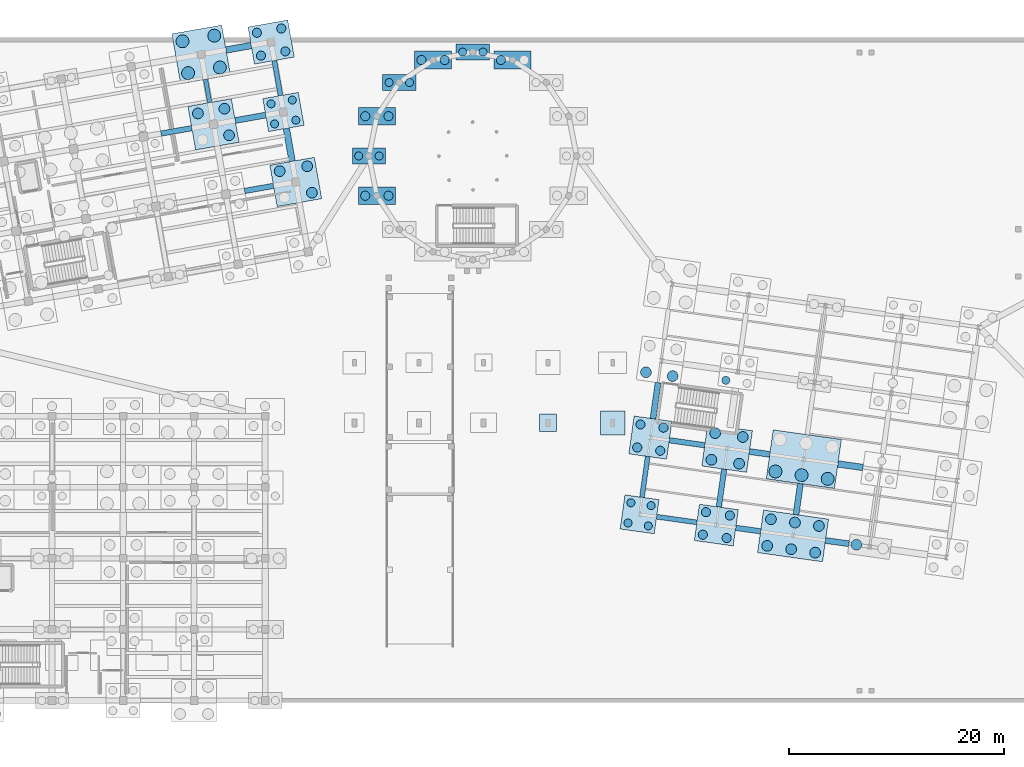
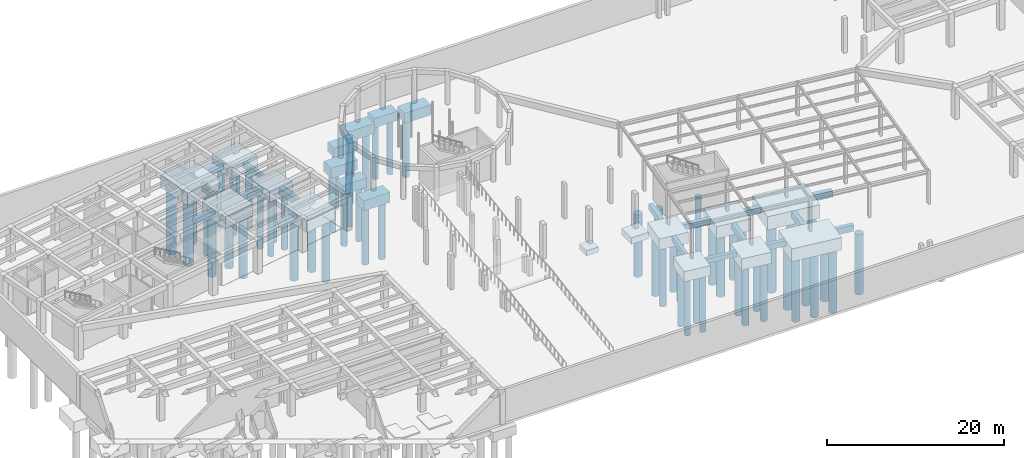
# One storey, part 5 of 34: 60 piles, 37 footings.
"""IFC4 building model written with IfcOpenShell, lengths in metres."""

from ifc_helpers import new_model, si_unit, direction, frame, origin, origin_2d, place, context, subcontext, project, spatial, rectangle, circle, extrude, material, material_profile, profile_set, type_object, element, save


model = new_model("IFC4")

# Units and contexts
model_context = context("Model", 3, precision=1e-05, world=origin(), true_north=direction((0.0, 1.0)))
body_context = subcontext(model_context, "Body", "Model", "MODEL_VIEW")
ifc_project = project(units=[si_unit("LENGTHUNIT", "METRE"), si_unit("AREAUNIT", "SQUARE_METRE"), si_unit("VOLUMEUNIT", "CUBIC_METRE"), si_unit("PLANEANGLEUNIT", "RADIAN"), si_unit("MASSUNIT", "GRAM", prefix="KILO")], contexts=[model_context])

# Site, building, storey
site_placement = place(None, origin())
site = spatial("IfcSite", under=ifc_project, at=site_placement, CompositionType="ELEMENT")
building_placement = place(site_placement, origin())
building = spatial("IfcBuilding", under=site, at=building_placement, Name="Kharisveld Research Institute", CompositionType="ELEMENT")
storey_placement = place(building_placement, frame((0.0, 0.0, -4.800048828125)))
storey = spatial("IfcBuildingStorey", under=building, at=storey_placement, Name="B1", CompositionType="ELEMENT", Elevation=-4.800048828125)

# Footings
ifc_material_1 = material(Name="Concrete C35/45", Category="concrete")
ifc_material_profile_1 = material_profile(ifc_material_1, rectangle(XDim=0.449951171875, YDim=0.64990234375, at=origin_2d()))
ifc_profile_set_1 = profile_set([ifc_material_profile_1], Name="Concrete C35/45")
footing_type_1 = type_object("IfcFootingType", Name="GB_01", PredefinedType="FOOTING_BEAM", material=ifc_profile_set_1)
footing_1_placement = place(storey_placement, frame((41.636962890625, 56.412353515625, -0.77490234375), z_axis=(-0.173629180998, 0.984811102449, 0.0), x_axis=(-0.984811102449, -0.173629180998, 0.0)))
element("IfcFooting", 1, at=footing_1_placement, inside=storey, type_object=footing_type_1, Name="FTG:GB:V1:V6_2", PredefinedType="FOOTING_BEAM", context=body_context, shape_type="SweptSolid", body=[
    extrude(rectangle(XDim=0.449951171875, YDim=0.64990234375, at=origin_2d()), origin(), (0.0, 0.0, 1.0), 3.300048828125),
])
footing_2_placement = place(storey_placement, frame((76.58447265625, 17.27734375, -0.77490234375), z_axis=(0.990267723454, -0.139175557789, 0.0), x_axis=(0.139175557789, 0.990267723454, 0.0)))
element("IfcFooting", 2, at=footing_2_placement, inside=storey, type_object=footing_type_1, Name="FTG:GB:V4:U0_0", PredefinedType="FOOTING_BEAM", context=body_context, shape_type="SweptSolid", body=[
    extrude(rectangle(XDim=0.449951171875, YDim=0.64990234375, at=origin_2d()), origin(), (0.0, 0.0, 1.0), 3.77490234375),
])
footing_3_placement = place(storey_placement, frame((75.22265625, 19.08447265625, -0.77490234375), z_axis=(0.139204956016, 0.990263591283, 0.0), x_axis=(-0.990263591283, 0.139204956016, 0.0)))
element("IfcFooting", 3, at=footing_3_placement, inside=storey, type_object=footing_type_1, Name="FTG:GB:V4:V0_0", PredefinedType="FOOTING_BEAM", context=body_context, shape_type="SweptSolid", body=[
    extrude(rectangle(XDim=0.449951171875, YDim=0.64990234375, at=origin_2d()), origin(), (0.0, 0.0, 1.0), 3.8251953125),
])
ifc_material_2 = material(Name="Concrete C35/45", Category="concrete")
ifc_material_profile_2 = material_profile(ifc_material_2, rectangle(XDim=0.5, YDim=0.75, at=origin_2d()))
ifc_profile_set_2 = profile_set([ifc_material_profile_2], Name="Concrete C35/45")
footing_type_2 = type_object("IfcFootingType", Name="GB_02", PredefinedType="FOOTING_BEAM", material=ifc_profile_set_2)
footing_4_placement = place(storey_placement, frame((38.300537109375, 47.54833984375, -0.824951171875), z_axis=(0.984810605289, 0.173632000823, 0.0), x_axis=(-0.173632000823, 0.984810605289, 0.0)))
element("IfcFooting", 4, at=footing_4_placement, inside=storey, type_object=footing_type_2, Name="FTG:GB:V1:U5_1", PredefinedType="FOOTING_BEAM", context=body_context, shape_type="SweptSolid", body=[
    extrude(rectangle(XDim=0.5, YDim=0.75, at=origin_2d()), origin(), (0.0, 0.0, 1.0), 2.72509765625),
])
footing_5_placement = place(storey_placement, frame((30.53173828125, 52.88037109375, -0.824951171875), z_axis=(0.984817440814, 0.173593226445, 0.0), x_axis=(-0.173593226445, 0.984817440814, 0.0)))
element("IfcFooting", 5, at=footing_5_placement, inside=storey, type_object=footing_type_2, Name="FTG:GB:V1:U4_2", PredefinedType="FOOTING_BEAM", context=body_context, shape_type="SweptSolid", body=[
    extrude(rectangle(XDim=0.5, YDim=0.75, at=origin_2d()), origin(), (0.0, 0.0, 1.0), 2.89990234375),
])
footing_6_placement = place(storey_placement, frame((83.937255859375, 16.243896484375, -0.824951171875), z_axis=(0.990272411116, -0.139142199865, 0.0), x_axis=(0.139142199865, 0.990272411116, 0.0)))
element("IfcFooting", 6, at=footing_6_placement, inside=storey, type_object=footing_type_2, Name="FTG:GB:V4:U1_0", PredefinedType="FOOTING_BEAM", context=body_context, shape_type="SweptSolid", body=[
    extrude(rectangle(XDim=0.5, YDim=0.75, at=origin_2d()), origin(), (0.0, 0.0, 1.0), 2.324951171875),
])
footing_7_placement = place(storey_placement, frame((77.759765625, 24.3828125, -0.824951171875), z_axis=(0.990272867074, -0.139138954779, 0.0), x_axis=(0.139138954779, 0.990272867074, 0.0)))
element("IfcFooting", 7, at=footing_7_placement, inside=storey, type_object=footing_type_2, Name="FTG:GB:V4:U0_1", PredefinedType="FOOTING_BEAM", context=body_context, shape_type="SweptSolid", body=[
    extrude(rectangle(XDim=0.5, YDim=0.75, at=origin_2d()), origin(), (0.0, 0.0, 1.0), 3.324951171875),
])
footing_8_placement = place(storey_placement, frame((82.366455078125, 18.181396484375, -0.824951171875), z_axis=(0.139196875326, 0.990264727181, 0.0), x_axis=(-0.990264727181, 0.139196875326, 0.0)))
element("IfcFooting", 8, at=footing_8_placement, inside=storey, type_object=footing_type_2, Name="FTG:GB:V4:V1_0", PredefinedType="FOOTING_BEAM", context=body_context, shape_type="SweptSolid", body=[
    extrude(rectangle(XDim=0.5, YDim=0.75, at=origin_2d()), origin(), (0.0, 0.0, 1.0), 3.550048828125),
])
ifc_material_3 = material(Name="Concrete C35/45", Category="concrete")
ifc_material_profile_3 = material_profile(ifc_material_3, rectangle(XDim=0.550048828125, YDim=0.85009765625, at=origin_2d()))
ifc_profile_set_3 = profile_set([ifc_material_profile_3], Name="Concrete C35/45")
footing_type_3 = type_object("IfcFootingType", Name="GB_03", PredefinedType="FOOTING_BEAM", material=ifc_profile_set_3)
footing_9_placement = place(storey_placement, frame((37.42529296875, 54.095947265625, -0.875), z_axis=(0.984820297571, 0.173577018905, 0.0), x_axis=(-0.173577018905, 0.984820297571, 0.0)))
element("IfcFooting", 9, at=footing_9_placement, inside=storey, type_object=footing_type_3, Name="FTG:GB:V1:U5_2", PredefinedType="FOOTING_BEAM", context=body_context, shape_type="SweptSolid", body=[
    extrude(rectangle(XDim=0.550048828125, YDim=0.85009765625, at=origin_2d()), origin(), (0.0, 0.0, 1.0), 2.875),
])
footing_10_placement = place(storey_placement, frame((92.2802734375, 15.071533203125, -0.875), z_axis=(0.990253470048, -0.139276936558, 0.0), x_axis=(0.139276936558, 0.990253470048, 0.0)))
element("IfcFooting", 10, at=footing_10_placement, inside=storey, type_object=footing_type_3, Name="FTG:GB:V4:U2_0", PredefinedType="FOOTING_BEAM", context=body_context, shape_type="SweptSolid", body=[
    extrude(rectangle(XDim=0.550048828125, YDim=0.85009765625, at=origin_2d()), origin(), (0.0, 0.0, 1.0), 2.199951171875),
])
footing_11_placement = place(storey_placement, frame((85.21142578125, 23.335693359375, -0.875), z_axis=(0.990270693165, -0.139154425937, 0.0), x_axis=(0.139154425937, 0.990270693165, 0.0)))
element("IfcFooting", 11, at=footing_11_placement, inside=storey, type_object=footing_type_3, Name="FTG:GB:V4:U1_1", PredefinedType="FOOTING_BEAM", context=body_context, shape_type="SweptSolid", body=[
    extrude(rectangle(XDim=0.550048828125, YDim=0.85009765625, at=origin_2d()), origin(), (0.0, 0.0, 1.0), 1.900146484375),
])
footing_12_placement = place(storey_placement, frame((76.2490234375, 26.3876953125, -0.875), z_axis=(0.139182785124, 0.990266707673, 0.0), x_axis=(-0.990266707673, 0.139182785124, 0.0)))
element("IfcFooting", 12, at=footing_12_placement, inside=storey, type_object=footing_type_3, Name="FTG:GB:V4:V0_1", PredefinedType="FOOTING_BEAM", context=body_context, shape_type="SweptSolid", body=[
    extrude(rectangle(XDim=0.550048828125, YDim=0.85009765625, at=origin_2d()), origin(), (0.0, 0.0, 1.0), 3.375),
])
footing_13_placement = place(storey_placement, frame((89.5380859375, 17.4765625, -0.875), z_axis=(0.139252251443, 0.990256941641, 0.0), x_axis=(-0.990256941641, 0.139252251443, 0.0)))
element("IfcFooting", 13, at=footing_13_placement, inside=storey, type_object=footing_type_3, Name="FTG:GB:V4:V2_0", PredefinedType="FOOTING_BEAM", context=body_context, shape_type="SweptSolid", body=[
    extrude(rectangle(XDim=0.550048828125, YDim=0.85009765625, at=origin_2d()), origin(), (0.0, 0.0, 1.0), 2.89990234375),
])
ifc_material_4 = material(Name="Concrete C35/45", Category="concrete")
ifc_material_profile_4 = material_profile(ifc_material_4, rectangle(XDim=0.60009765625, YDim=0.89990234375, at=origin_2d()))
ifc_profile_set_4 = profile_set([ifc_material_profile_4], Name="Concrete C35/45")
footing_type_4 = type_object("IfcFootingType", Name="GB_04", PredefinedType="FOOTING_BEAM", material=ifc_profile_set_4)
footing_14_placement = place(storey_placement, frame((36.57470703125, 60.647705078125, -0.89990234375), z_axis=(0.984811488016, 0.173626994077, 0.0), x_axis=(-0.173626994077, 0.984811488016, 0.0)))
element("IfcFooting", 14, at=footing_14_placement, inside=storey, type_object=footing_type_4, Name="FTG:GB:V1:U5_3", PredefinedType="FOOTING_BEAM", context=body_context, shape_type="SweptSolid", body=[
    extrude(rectangle(XDim=0.60009765625, YDim=0.89990234375, at=origin_2d()), origin(), (0.0, 0.0, 1.0), 2.375),
])
footing_15_placement = place(storey_placement, frame((42.713623046875, 50.306640625, -0.89990234375), z_axis=(-0.173664022289, 0.984804959046, 0.0), x_axis=(-0.984804959046, -0.173664022289, 0.0)))
element("IfcFooting", 15, at=footing_15_placement, inside=storey, type_object=footing_type_4, Name="FTG:GB:V1:V6_1", PredefinedType="FOOTING_BEAM", context=body_context, shape_type="SweptSolid", body=[
    extrude(rectangle(XDim=0.60009765625, YDim=0.89990234375, at=origin_2d()), origin(), (0.0, 0.0, 1.0), 3.099853515625),
])
footing_16_placement = place(storey_placement, frame((93.4306640625, 22.180419921875, -0.89990234375), z_axis=(0.990277161909, -0.139108384368, 0.0), x_axis=(0.139108384368, 0.990277161909, 0.0)))
element("IfcFooting", 16, at=footing_16_placement, inside=storey, type_object=footing_type_4, Name="FTG:GB:V4:U2_1", PredefinedType="FOOTING_BEAM", context=body_context, shape_type="SweptSolid", body=[
    extrude(rectangle(XDim=0.60009765625, YDim=0.89990234375, at=origin_2d()), origin(), (0.0, 0.0, 1.0), 2.35009765625),
])
ifc_material_5 = material(Name="Concrete C35/45", Category="concrete")
ifc_material_profile_5 = material_profile(ifc_material_5, rectangle(XDim=0.39990234375, YDim=0.60009765625, at=origin_2d()))
ifc_profile_set_5 = profile_set([ifc_material_profile_5], Name="Concrete C35/45")
footing_type_5 = type_object("IfcFootingType", Name="GB_05", PredefinedType="FOOTING_BEAM", material=ifc_profile_set_5)
footing_17_placement = place(storey_placement, frame((35.050537109375, 55.7587890625, -0.75), z_axis=(-0.173677708329, 0.984802545503, 0.0), x_axis=(-0.984802545503, -0.173677708329, 0.0)))
element("IfcFooting", 17, at=footing_17_placement, inside=storey, type_object=footing_type_5, Name="FTG:GB:V1:V5_2", PredefinedType="FOOTING_BEAM", context=body_context, shape_type="SweptSolid", body=[
    extrude(rectangle(XDim=0.39990234375, YDim=0.60009765625, at=origin_2d()), origin(), (0.0, 0.0, 1.0), 2.199951171875),
])
ifc_material_6 = material(Name="Concrete C35/45", Category="concrete")
footing_type_6 = type_object("IfcFootingType", Name="PC_2P_A", PredefinedType="PILE_CAP", material=ifc_material_6)
for number, where, z_axis, x_axis, name in (
    (18, (59.5, 60.449951171875, -1.75), (0.0, 0.0, 1.0), (1.0, 0.0, 0.0), "FTG:V6:R04"),
    (19, (52.676513671875, 57.62353515625, -1.75), (0.0, 0.0, 1.0), (1.0, 0.0, 0.0), "FTG:V6:R06"),
    (20, (49.85009765625, 50.800048828125, -1.75), (0.0, 0.0, 1.0), (1.0, 0.0, 0.0), "FTG:V6:R08"),
):
    element("IfcFooting", number, at=place(storey_placement, frame(where, z_axis=z_axis, x_axis=x_axis)), inside=storey, type_object=footing_type_6, Name=name, PredefinedType="PILE_CAP", context=body_context, shape_type="SweptSolid", body=[
        extrude(rectangle(XDim=3.10009765625, YDim=1.5, at=origin_2d()), origin(), (0.0, 0.0, 1.0), 1.300048828125),
    ])
ifc_material_7 = material(Name="Concrete C35/45", Category="concrete")
footing_type_7 = type_object("IfcFootingType", Name="PC_2P_B", PredefinedType="PILE_CAP", material=ifc_material_7)
for number, where, z_axis, x_axis, name in (
    (21, (63.19287109375, 59.71533203125, -1.849853515625), (0.0, 0.0, 1.0), (1.0, 0.0, 0.0), "FTG:V6:R03"),
    (22, (55.80712890625, 59.71533203125, -1.849853515625), (0.0, 0.0, 1.0), (1.0, 0.0, 0.0), "FTG:V6:R05"),
    (23, (50.58447265625, 54.492919921875, -1.849853515625), (0.0, 0.0, 1.0), (1.0, 0.0, 0.0), "FTG:V6:R07"),
    (24, (50.58447265625, 47.107177734375, -1.849853515625), (0.0, 0.0, 1.0), (1.0, 0.0, 0.0), "FTG:V6:R09"),
):
    element("IfcFooting", number, at=place(storey_placement, frame(where, z_axis=z_axis, x_axis=x_axis)), inside=storey, type_object=footing_type_7, Name=name, PredefinedType="PILE_CAP", context=body_context, shape_type="SweptSolid", body=[
        extrude(rectangle(XDim=3.449951171875, YDim=1.64990234375, at=origin_2d()), origin(), (0.0, 0.0, 1.0), 1.39990234375),
    ])
ifc_material_8 = material(Name="Concrete C35/45", Category="concrete")
footing_type_8 = type_object("IfcFootingType", Name="PC_4P_A", PredefinedType="PILE_CAP", material=ifc_material_8)
footing_18_placement = place(storey_placement, frame((75.0, 17.5, -1.849853515625), z_axis=(0.0, 0.0, 1.0), x_axis=(0.990268068742, -0.13917310096, 0.0)))
element("IfcFooting", 25, at=footing_18_placement, inside=storey, type_object=footing_type_8, Name="FTG:V4:U0V0", PredefinedType="PILE_CAP", context=body_context, shape_type="SweptSolid", body=[
    extrude(rectangle(XDim=3.199951171875, YDim=3.199951171875, at=origin_2d()), origin(), (0.0, 0.0, 1.0), 1.39990234375),
])
ifc_material_9 = material(Name="Concrete C35/45", Category="concrete")
footing_type_9 = type_object("IfcFootingType", Name="PC_4P_B", PredefinedType="PILE_CAP", material=ifc_material_9)
footing_19_placement = place(storey_placement, frame((76.001953125, 24.6298828125, -1.949951171875), z_axis=(0.0, 0.0, 1.0), x_axis=(0.990268068742, -0.13917310096, 0.0)))
element("IfcFooting", 26, at=footing_19_placement, inside=storey, type_object=footing_type_9, Name="FTG:V4:U0V1", PredefinedType="PILE_CAP", context=body_context, shape_type="SweptSolid", body=[
    extrude(rectangle(XDim=3.550048828125, YDim=3.550048828125, at=origin_2d()), origin(), (0.0, 0.0, 1.0), 1.5),
])
ifc_material_10 = material(Name="Concrete C35/45", Category="concrete")
footing_type_10 = type_object("IfcFootingType", Name="PC_4P_C", PredefinedType="PILE_CAP", material=ifc_material_10)
footing_20_placement = place(storey_placement, frame((35.406494140625, 53.73974609375, -2.050048828125), z_axis=(0.0, 0.0, 1.0), x_axis=(0.984807753012, 0.173648177667, 0.0)))
element("IfcFooting", 27, at=footing_20_placement, inside=storey, type_object=footing_type_10, Name="FTG:V1:U5V2", PredefinedType="PILE_CAP", context=body_context, shape_type="SweptSolid", body=[
    extrude(rectangle(XDim=4.10009765625, YDim=4.10009765625, at=origin_2d()), origin(), (0.0, 0.0, 1.0), 1.60009765625),
])
ifc_material_11 = material(Name="Concrete C35/45", Category="concrete")
footing_type_11 = type_object("IfcFootingType", Name="PC_4P_D", PredefinedType="PILE_CAP", material=ifc_material_11)
footing_21_placement = place(storey_placement, frame((34.260498046875, 60.239501953125, -2.14990234375), z_axis=(0.0, 0.0, 1.0), x_axis=(0.984807753012, 0.173648177667, 0.0)))
element("IfcFooting", 28, at=footing_21_placement, inside=storey, type_object=footing_type_11, Name="FTG:V1:U5V3", PredefinedType="PILE_CAP", context=body_context, shape_type="SweptSolid", body=[
    extrude(rectangle(XDim=4.699951171875, YDim=4.699951171875, at=origin_2d()), origin(), (0.0, 0.0, 1.0), 1.699951171875),
])
ifc_material_12 = material(Name="Concrete C35/45", Category="concrete")
footing_type_12 = type_object("IfcFootingType", Name="PC_4P_E", PredefinedType="PILE_CAP", material=ifc_material_12)
footing_22_placement = place(storey_placement, frame((82.1298828125, 16.498046875, -2.0), z_axis=(0.0, 0.0, 1.0), x_axis=(0.990268068742, -0.13917310096, 0.0)))
element("IfcFooting", 29, at=footing_22_placement, inside=storey, type_object=footing_type_12, Name="FTG:V4:U1V0", PredefinedType="PILE_CAP", context=body_context, shape_type="SweptSolid", body=[
    extrude(rectangle(XDim=3.64990234375, YDim=3.39990234375, at=origin_2d()), origin(), (0.0, 0.0, 1.0), 1.550048828125),
])
ifc_material_13 = material(Name="Concrete C35/45", Category="concrete")
footing_type_13 = type_object("IfcFootingType", Name="PC_4P_F", PredefinedType="PILE_CAP", material=ifc_material_13)
for number, where, z_axis, x_axis, name in (
    (30, (43.05224609375, 48.38623046875, -2.099853515625), (0.0, 0.0, 1.0), (0.984807753012, 0.173648177667, 0.0), "FTG:V1:U6V1"),
    (31, (83.132080078125, 23.6279296875, -2.099853515625), (0.0, 0.0, 1.0), (0.990268068742, -0.13917310096, 0.0), "FTG:V4:U1V1"),
):
    element("IfcFooting", number, at=place(storey_placement, frame(where, z_axis=z_axis, x_axis=x_axis)), inside=storey, type_object=footing_type_13, Name=name, PredefinedType="PILE_CAP", context=body_context, shape_type="SweptSolid", body=[
        extrude(rectangle(XDim=4.199951171875, YDim=3.89990234375, at=origin_2d()), origin(), (0.0, 0.0, 1.0), 1.64990234375),
    ])
ifc_material_14 = material(Name="Concrete C35/45", Category="concrete")
footing_type_14 = type_object("IfcFootingType", Name="PC_4P_G", PredefinedType="PILE_CAP", material=ifc_material_14)
footing_23_placement = place(storey_placement, frame((41.90625, 54.885986328125, -1.869873046875), z_axis=(0.0, 0.0, 1.0), x_axis=(0.984807753012, 0.173648177667, 0.0)))
element("IfcFooting", 32, at=footing_23_placement, inside=storey, type_object=footing_type_14, Name="FTG:V1:U6V2", PredefinedType="PILE_CAP", context=body_context, shape_type="SweptSolid", body=[
    extrude(rectangle(XDim=3.35009765625, YDim=3.10009765625, at=origin_2d()), origin(), (0.0, 0.0, 1.0), 1.419921875),
])
ifc_material_15 = material(Name="Concrete C35/45", Category="concrete")
footing_type_15 = type_object("IfcFootingType", Name="PC_4P_H", PredefinedType="PILE_CAP", material=ifc_material_15)
footing_24_placement = place(storey_placement, frame((40.76025390625, 61.3857421875, -1.969970703125), z_axis=(0.0, 0.0, 1.0), x_axis=(0.984807753012, 0.173648177667, 0.0)))
element("IfcFooting", 33, at=footing_24_placement, inside=storey, type_object=footing_type_15, Name="FTG:V1:U6V3", PredefinedType="PILE_CAP", context=body_context, shape_type="SweptSolid", body=[
    extrude(rectangle(XDim=3.75, YDim=3.5, at=origin_2d()), origin(), (0.0, 0.0, 1.0), 1.52001953125),
])
ifc_material_16 = material(Name="Concrete C35/45", Category="concrete")
footing_type_16 = type_object("IfcFootingType", Name="PC_6P_A", PredefinedType="PILE_CAP", material=ifc_material_16)
footing_25_placement = place(storey_placement, frame((89.259765625, 15.495849609375, -2.199951171875), z_axis=(0.0, 0.0, 1.0), x_axis=(0.990268068742, -0.13917310096, 0.0)))
element("IfcFooting", 34, at=footing_25_placement, inside=storey, type_object=footing_type_16, Name="FTG:V4:U2V0", PredefinedType="PILE_CAP", context=body_context, shape_type="SweptSolid", body=[
    extrude(rectangle(XDim=6.10009765625, YDim=4.0, at=origin_2d()), origin(), (0.0, 0.0, 1.0), 1.75),
])
ifc_material_17 = material(Name="Concrete C35/45", Category="concrete")
footing_type_17 = type_object("IfcFootingType", Name="PC_6P_B", PredefinedType="PILE_CAP", material=ifc_material_17)
footing_26_placement = place(storey_placement, frame((90.261962890625, 22.625732421875, -2.300048828125), z_axis=(0.0, 0.0, 1.0), x_axis=(0.990268068742, -0.13917310096, 0.0)))
element("IfcFooting", 35, at=footing_26_placement, inside=storey, type_object=footing_type_17, Name="FTG:V4:U2V1", PredefinedType="PILE_CAP", context=body_context, shape_type="SweptSolid", body=[
    extrude(rectangle(XDim=6.39990234375, YDim=4.60009765625, at=origin_2d()), origin(), (0.0, 0.0, 1.0), 1.85009765625),
])
ifc_material_18 = material(Name="Concrete C35/45", Category="concrete")
footing_type_18 = type_object("IfcFootingType", Name="PF_04", PredefinedType="PAD_FOOTING", material=ifc_material_18)
footing_27_placement = place(storey_placement, frame((66.5, 26.0, -1.14990234375), z_axis=(0.0, 0.0, 1.0), x_axis=(1.0, 0.0, 0.0)))
element("IfcFooting", 36, at=footing_27_placement, inside=storey, type_object=footing_type_18, Name="FTG:ARC:PF4_1", PredefinedType="PAD_FOOTING", context=body_context, shape_type="SweptSolid", body=[
    extrude(rectangle(XDim=1.60009765625, YDim=1.60009765625, at=origin_2d()), origin(), (0.0, 0.0, 1.0), 0.699951171875),
])
ifc_material_19 = material(Name="Concrete C35/45", Category="concrete")
footing_type_19 = type_object("IfcFootingType", Name="PF_05", PredefinedType="PAD_FOOTING", material=ifc_material_19)
footing_28_placement = place(storey_placement, frame((72.5, 26.0, -1.349853515625), z_axis=(0.0, 0.0, 1.0), x_axis=(1.0, 0.0, 0.0)))
element("IfcFooting", 37, at=footing_28_placement, inside=storey, type_object=footing_type_19, Name="FTG:ARC:PF5_1", PredefinedType="PAD_FOOTING", context=body_context, shape_type="SweptSolid", body=[
    extrude(rectangle(XDim=2.25, YDim=2.25, at=origin_2d()), origin(), (0.0, 0.0, 1.0), 0.89990234375),
])

# Piles
ifc_material_20 = material(Name="Concrete C40/50", Category="concrete")
ifc_material_profile_6 = material_profile(ifc_material_20, circle(Radius=0.5, at=origin_2d()))
ifc_profile_set_6 = profile_set([ifc_material_profile_6], Name="Concrete C40/50")
pile_type_1 = type_object("IfcPileType", Name="PILE_D1000", PredefinedType="BORED", material=ifc_profile_set_6)
for number, where, z_axis, x_axis, name in (
    (38, (36.8544921875, 52.725830078125, -1.949951171875), (0.0, 0.0, -1.0), (1.0, 0.0, 0.0), "PILE:V1:U5V2:P2"),
    (39, (36.42041015625, 55.18798828125, -1.949951171875), (0.0, 0.0, -1.0), (1.0, 0.0, 0.0), "PILE:V1:U5V2:P3"),
    (40, (33.95849609375, 54.75390625, -1.949951171875), (0.0, 0.0, -1.0), (1.0, 0.0, 0.0), "PILE:V1:U5V2:P4"),
):
    element("IfcPile", number, at=place(storey_placement, frame(where, z_axis=z_axis, x_axis=x_axis)), inside=storey, type_object=pile_type_1, Name=name, PredefinedType="BORED", context=body_context, shape_type="SweptSolid", body=[
        extrude(circle(Radius=0.5, at=origin_2d()), origin(), (0.0, 0.0, 1.0), 8.60009765625),
    ])
for number, where, z_axis, x_axis, name in (
    (41, (44.549560546875, 47.380859375, -2.0), (0.0, 0.0, -1.0), (1.0, 0.0, 0.0), "PILE:V1:U6V1:P2"),
    (42, (44.115478515625, 49.843017578125, -2.0), (0.0, 0.0, -1.0), (1.0, 0.0, 0.0), "PILE:V1:U6V1:P3"),
    (43, (41.554931640625, 49.391357421875, -2.0), (0.0, 0.0, -1.0), (1.0, 0.0, 0.0), "PILE:V1:U6V1:P4"),
):
    element("IfcPile", number, at=place(storey_placement, frame(where, z_axis=z_axis, x_axis=x_axis)), inside=storey, type_object=pile_type_1, Name=name, PredefinedType="BORED", context=body_context, shape_type="SweptSolid", body=[
        extrude(circle(Radius=0.5, at=origin_2d()), origin(), (0.0, 0.0, 1.0), 8.5),
    ])
for number, where, z_axis, x_axis, name in (
    (44, (75.59228515625, 30.696044921875, -1.949951171875), (0.0, 0.0, -1.0), (1.0, 0.0, 0.0), "PILE:V4:U0V2:P1"),
    (45, (78.06787109375, 30.34814453125, -1.949951171875), (0.0, 0.0, -1.0), (1.0, 0.0, 0.0), "PILE:V4:U0V2:P2"),
):
    element("IfcPile", number, at=place(storey_placement, frame(where, z_axis=z_axis, x_axis=x_axis)), inside=storey, type_object=pile_type_1, Name=name, PredefinedType="BORED", context=body_context, shape_type="SweptSolid", body=[
        extrude(circle(Radius=0.5, at=origin_2d()), origin(), (0.0, 0.0, 1.0), 8.60009765625),
    ])
for number, where, z_axis, x_axis, name in (
    (46, (81.670654296875, 22.571044921875, -2.0), (0.0, 0.0, -1.0), (1.0, 0.0, 0.0), "PILE:V4:U1V1:P1"),
    (47, (84.245361328125, 22.209228515625, -2.0), (0.0, 0.0, -1.0), (1.0, 0.0, 0.0), "PILE:V4:U1V1:P2"),
    (48, (84.59326171875, 24.684814453125, -2.0), (0.0, 0.0, -1.0), (1.0, 0.0, 0.0), "PILE:V4:U1V1:P3"),
    (49, (82.0185546875, 25.046630859375, -2.0), (0.0, 0.0, -1.0), (1.0, 0.0, 0.0), "PILE:V4:U1V1:P4"),
):
    element("IfcPile", number, at=place(storey_placement, frame(where, z_axis=z_axis, x_axis=x_axis)), inside=storey, type_object=pile_type_1, Name=name, PredefinedType="BORED", context=body_context, shape_type="SweptSolid", body=[
        extrude(circle(Radius=0.5, at=origin_2d()), origin(), (0.0, 0.0, 1.0), 8.5),
    ])
for number, where, z_axis, x_axis, name in (
    (50, (86.85791015625, 14.5712890625, -2.099853515625), (0.0, 0.0, -1.0), (1.0, 0.0, 0.0), "PILE:V4:U2V0:P1"),
    (51, (89.0859375, 14.258056640625, -2.099853515625), (0.0, 0.0, -1.0), (1.0, 0.0, 0.0), "PILE:V4:U2V0:P2"),
    (52, (91.31396484375, 13.94482421875, -2.099853515625), (0.0, 0.0, -1.0), (1.0, 0.0, 0.0), "PILE:V4:U2V0:P3"),
    (53, (87.205810546875, 17.046875, -2.099853515625), (0.0, 0.0, -1.0), (1.0, 0.0, 0.0), "PILE:V4:U2V0:P4"),
    (54, (89.433837890625, 16.733642578125, -2.099853515625), (0.0, 0.0, -1.0), (1.0, 0.0, 0.0), "PILE:V4:U2V0:P5"),
    (55, (91.661865234375, 16.420654296875, -2.099853515625), (0.0, 0.0, -1.0), (1.0, 0.0, 0.0), "PILE:V4:U2V0:P6"),
):
    element("IfcPile", number, at=place(storey_placement, frame(where, z_axis=z_axis, x_axis=x_axis)), inside=storey, type_object=pile_type_1, Name=name, PredefinedType="BORED", context=body_context, shape_type="SweptSolid", body=[
        extrude(circle(Radius=0.5, at=origin_2d()), origin(), (0.0, 0.0, 1.0), 8.800048828125),
    ])
pile_1_placement = place(storey_placement, frame((95.15185546875, 14.667724609375, -1.800048828125), z_axis=(0.0, 0.0, -1.0), x_axis=(1.0, 0.0, 0.0)))
element("IfcPile", 56, at=pile_1_placement, inside=storey, type_object=pile_type_1, Name="PILE:V4:U3V0:P1", PredefinedType="BORED", context=body_context, shape_type="SweptSolid", body=[
    extrude(circle(Radius=0.5, at=origin_2d()), origin(), (0.0, 0.0, 1.0), 8.300048828125),
])
ifc_material_21 = material(Name="Concrete C40/50", Category="concrete")
ifc_material_profile_7 = material_profile(ifc_material_21, circle(Radius=0.60009765625, at=origin_2d()))
ifc_profile_set_7 = profile_set([ifc_material_profile_7], Name="Concrete C40/50")
pile_type_2 = type_object("IfcPileType", Name="PILE_D1200", PredefinedType="BORED", material=ifc_profile_set_7)
for number, where, z_axis, x_axis, name in (
    (57, (33.043701171875, 58.501953125, -2.050048828125), (0.0, 0.0, -1.0), (1.0, 0.0, 0.0), "PILE:V1:U5V3:P1"),
    (58, (35.998046875, 59.02294921875, -2.050048828125), (0.0, 0.0, -1.0), (1.0, 0.0, 0.0), "PILE:V1:U5V3:P2"),
    (59, (35.47705078125, 61.977294921875, -2.050048828125), (0.0, 0.0, -1.0), (1.0, 0.0, 0.0), "PILE:V1:U5V3:P3"),
    (60, (32.522705078125, 61.456298828125, -2.050048828125), (0.0, 0.0, -1.0), (1.0, 0.0, 0.0), "PILE:V1:U5V3:P4"),
):
    element("IfcPile", number, at=place(storey_placement, frame(where, z_axis=z_axis, x_axis=x_axis)), inside=storey, type_object=pile_type_2, Name=name, PredefinedType="BORED", context=body_context, shape_type="SweptSolid", body=[
        extrude(circle(Radius=0.60009765625, at=origin_2d()), origin(), (0.0, 0.0, 1.0), 8.89990234375),
    ])
for number, where, z_axis, x_axis, name in (
    (61, (87.626953125, 21.4814453125, -2.199951171875), (0.0, 0.0, -1.0), (1.0, 0.0, 0.0), "PILE:V4:U2V1:P1"),
    (62, (90.05322265625, 21.140380859375, -2.199951171875), (0.0, 0.0, -1.0), (1.0, 0.0, 0.0), "PILE:V4:U2V1:P2"),
    (63, (92.479248046875, 20.799560546875, -2.199951171875), (0.0, 0.0, -1.0), (1.0, 0.0, 0.0), "PILE:V4:U2V1:P3"),
):
    element("IfcPile", number, at=place(storey_placement, frame(where, z_axis=z_axis, x_axis=x_axis)), inside=storey, type_object=pile_type_2, Name=name, PredefinedType="BORED", context=body_context, shape_type="SweptSolid", body=[
        extrude(circle(Radius=0.60009765625, at=origin_2d()), origin(), (0.0, 0.0, 1.0), 9.10009765625),
    ])
ifc_material_22 = material(Name="Concrete C40/50", Category="concrete")
ifc_material_profile_8 = material_profile(ifc_material_22, circle(Radius=0.375, at=origin_2d()))
ifc_profile_set_8 = profile_set([ifc_material_profile_8], Name="Concrete C40/50")
pile_type_3 = type_object("IfcPileType", Name="PILE_D750", PredefinedType="BORED", material=ifc_profile_set_8)
for number, where, z_axis, x_axis, name in (
    (64, (41.08642578125, 53.776611328125, -1.77001953125), (0.0, 0.0, -1.0), (1.0, 0.0, 0.0), "PILE:V1:U6V2:P1"),
    (65, (43.055908203125, 54.1240234375, -1.77001953125), (0.0, 0.0, -1.0), (1.0, 0.0, 0.0), "PILE:V1:U6V2:P2"),
    (66, (42.72607421875, 55.9951171875, -1.77001953125), (0.0, 0.0, -1.0), (1.0, 0.0, 0.0), "PILE:V1:U6V2:P3"),
    (67, (40.75634765625, 55.64794921875, -1.77001953125), (0.0, 0.0, -1.0), (1.0, 0.0, 0.0), "PILE:V1:U6V2:P4"),
):
    element("IfcPile", number, at=place(storey_placement, frame(where, z_axis=z_axis, x_axis=x_axis)), inside=storey, type_object=pile_type_3, Name=name, PredefinedType="BORED", context=body_context, shape_type="SweptSolid", body=[
        extrude(circle(Radius=0.375, at=origin_2d()), origin(), (0.0, 0.0, 1.0), 7.949951171875),
    ])
for number, where, z_axis, x_axis, name in (
    (68, (73.927001953125, 16.69140625, -1.75), (0.0, 0.0, -1.0), (1.0, 0.0, 0.0), "PILE:V4:U0V0:P1"),
    (69, (75.80859375, 16.427001953125, -1.75), (0.0, 0.0, -1.0), (1.0, 0.0, 0.0), "PILE:V4:U0V0:P2"),
    (70, (76.072998046875, 18.30859375, -1.75), (0.0, 0.0, -1.0), (1.0, 0.0, 0.0), "PILE:V4:U0V0:P3"),
    (71, (74.19140625, 18.572998046875, -1.75), (0.0, 0.0, -1.0), (1.0, 0.0, 0.0), "PILE:V4:U0V0:P4"),
):
    element("IfcPile", number, at=place(storey_placement, frame(where, z_axis=z_axis, x_axis=x_axis)), inside=storey, type_object=pile_type_3, Name=name, PredefinedType="BORED", context=body_context, shape_type="SweptSolid", body=[
        extrude(circle(Radius=0.375, at=origin_2d()), origin(), (0.0, 0.0, 1.0), 7.89990234375),
    ])
pile_2_placement = place(storey_placement, frame((83.011474609375, 29.956298828125, -1.77001953125), z_axis=(0.0, 0.0, -1.0), x_axis=(1.0, 0.0, 0.0)))
element("IfcPile", 72, at=pile_2_placement, inside=storey, type_object=pile_type_3, Name="PILE:V4:U1V2:P1", PredefinedType="BORED", context=body_context, shape_type="SweptSolid", body=[
    extrude(circle(Radius=0.375, at=origin_2d()), origin(), (0.0, 0.0, 1.0), 7.949951171875),
])
for number, where, z_axis, x_axis, name in (
    (73, (58.550048828125, 60.449951171875, -1.64990234375), (0.0, 0.0, -1.0), (1.0, 0.0, 0.0), "PILE:V6:R04:P1"),
    (74, (60.449951171875, 60.449951171875, -1.64990234375), (0.0, 0.0, -1.0), (1.0, 0.0, 0.0), "PILE:V6:R04:P2"),
    (75, (51.726318359375, 57.62353515625, -1.64990234375), (0.0, 0.0, -1.0), (1.0, 0.0, 0.0), "PILE:V6:R06:P1"),
    (76, (53.62646484375, 57.62353515625, -1.64990234375), (0.0, 0.0, -1.0), (1.0, 0.0, 0.0), "PILE:V6:R06:P2"),
    (77, (48.89990234375, 50.800048828125, -1.64990234375), (0.0, 0.0, -1.0), (1.0, 0.0, 0.0), "PILE:V6:R08:P1"),
    (78, (50.800048828125, 50.800048828125, -1.64990234375), (0.0, 0.0, -1.0), (1.0, 0.0, 0.0), "PILE:V6:R08:P2"),
):
    element("IfcPile", number, at=place(storey_placement, frame(where, z_axis=z_axis, x_axis=x_axis)), inside=storey, type_object=pile_type_3, Name=name, PredefinedType="BORED", context=body_context, shape_type="SweptSolid", body=[
        extrude(circle(Radius=0.375, at=origin_2d()), origin(), (0.0, 0.0, 1.0), 7.60009765625),
    ])
ifc_material_23 = material(Name="Concrete C40/50", Category="concrete")
ifc_material_profile_9 = material_profile(ifc_material_23, circle(Radius=0.425048828125, at=origin_2d()))
ifc_profile_set_9 = profile_set([ifc_material_profile_9], Name="Concrete C40/50")
pile_type_4 = type_object("IfcPileType", Name="PILE_D850", PredefinedType="BORED", material=ifc_profile_set_9)
for number, where, z_axis, x_axis, name in (
    (79, (39.815185546875, 60.122314453125, -1.869873046875), (0.0, 0.0, -1.0), (1.0, 0.0, 0.0), "PILE:V1:U6V3:P1"),
    (80, (42.080322265625, 60.521728515625, -1.869873046875), (0.0, 0.0, -1.0), (1.0, 0.0, 0.0), "PILE:V1:U6V3:P2"),
    (81, (41.705078125, 62.64892578125, -1.869873046875), (0.0, 0.0, -1.0), (1.0, 0.0, 0.0), "PILE:V1:U6V3:P3"),
    (82, (39.440185546875, 62.24951171875, -1.869873046875), (0.0, 0.0, -1.0), (1.0, 0.0, 0.0), "PILE:V1:U6V3:P4"),
):
    element("IfcPile", number, at=place(storey_placement, frame(where, z_axis=z_axis, x_axis=x_axis)), inside=storey, type_object=pile_type_4, Name=name, PredefinedType="BORED", context=body_context, shape_type="SweptSolid", body=[
        extrude(circle(Radius=0.425048828125, at=origin_2d()), origin(), (0.0, 0.0, 1.0), 8.35009765625),
    ])
for number, where, z_axis, x_axis, name in (
    (83, (74.7822265625, 23.710693359375, -1.849853515625), (0.0, 0.0, -1.0), (1.0, 0.0, 0.0), "PILE:V4:U0V1:P1"),
    (84, (76.921142578125, 23.41015625, -1.849853515625), (0.0, 0.0, -1.0), (1.0, 0.0, 0.0), "PILE:V4:U0V1:P2"),
    (85, (77.221923828125, 25.549072265625, -1.849853515625), (0.0, 0.0, -1.0), (1.0, 0.0, 0.0), "PILE:V4:U0V1:P3"),
    (86, (75.082763671875, 25.849609375, -1.849853515625), (0.0, 0.0, -1.0), (1.0, 0.0, 0.0), "PILE:V4:U0V1:P4"),
):
    element("IfcPile", number, at=place(storey_placement, frame(where, z_axis=z_axis, x_axis=x_axis)), inside=storey, type_object=pile_type_4, Name=name, PredefinedType="BORED", context=body_context, shape_type="SweptSolid", body=[
        extrude(circle(Radius=0.425048828125, at=origin_2d()), origin(), (0.0, 0.0, 1.0), 8.300048828125),
    ])
for number, where, z_axis, x_axis, name in (
    (87, (80.873291015625, 15.604248046875, -1.89990234375), (0.0, 0.0, -1.0), (1.0, 0.0, 0.0), "PILE:V4:U1V0:P1"),
    (88, (83.091552734375, 15.29248046875, -1.89990234375), (0.0, 0.0, -1.0), (1.0, 0.0, 0.0), "PILE:V4:U1V0:P2"),
    (89, (83.386474609375, 17.391845703125, -1.89990234375), (0.0, 0.0, -1.0), (1.0, 0.0, 0.0), "PILE:V4:U1V0:P3"),
    (90, (81.16845703125, 17.70361328125, -1.89990234375), (0.0, 0.0, -1.0), (1.0, 0.0, 0.0), "PILE:V4:U1V0:P4"),
):
    element("IfcPile", number, at=place(storey_placement, frame(where, z_axis=z_axis, x_axis=x_axis)), inside=storey, type_object=pile_type_4, Name=name, PredefinedType="BORED", context=body_context, shape_type="SweptSolid", body=[
        extrude(circle(Radius=0.425048828125, at=origin_2d()), origin(), (0.0, 0.0, 1.0), 8.10009765625),
    ])
for number, where, z_axis, x_axis, name in (
    (91, (62.11279296875, 59.71533203125, -1.75), (0.0, 0.0, -1.0), (1.0, 0.0, 0.0), "PILE:V6:R03:P1"),
    (92, (54.72705078125, 59.71533203125, -1.75), (0.0, 0.0, -1.0), (1.0, 0.0, 0.0), "PILE:V6:R05:P1"),
    (93, (56.88720703125, 59.71533203125, -1.75), (0.0, 0.0, -1.0), (1.0, 0.0, 0.0), "PILE:V6:R05:P2"),
    (94, (49.504638671875, 54.492919921875, -1.75), (0.0, 0.0, -1.0), (1.0, 0.0, 0.0), "PILE:V6:R07:P1"),
    (95, (51.66455078125, 54.492919921875, -1.75), (0.0, 0.0, -1.0), (1.0, 0.0, 0.0), "PILE:V6:R07:P2"),
    (96, (49.504638671875, 47.107177734375, -1.75), (0.0, 0.0, -1.0), (1.0, 0.0, 0.0), "PILE:V6:R09:P1"),
    (97, (51.66455078125, 47.107177734375, -1.75), (0.0, 0.0, -1.0), (1.0, 0.0, 0.0), "PILE:V6:R09:P2"),
):
    element("IfcPile", number, at=place(storey_placement, frame(where, z_axis=z_axis, x_axis=x_axis)), inside=storey, type_object=pile_type_4, Name=name, PredefinedType="BORED", context=body_context, shape_type="SweptSolid", body=[
        extrude(circle(Radius=0.425048828125, at=origin_2d()), origin(), (0.0, 0.0, 1.0), 8.0),
    ])

save(model, "model.ifc")
